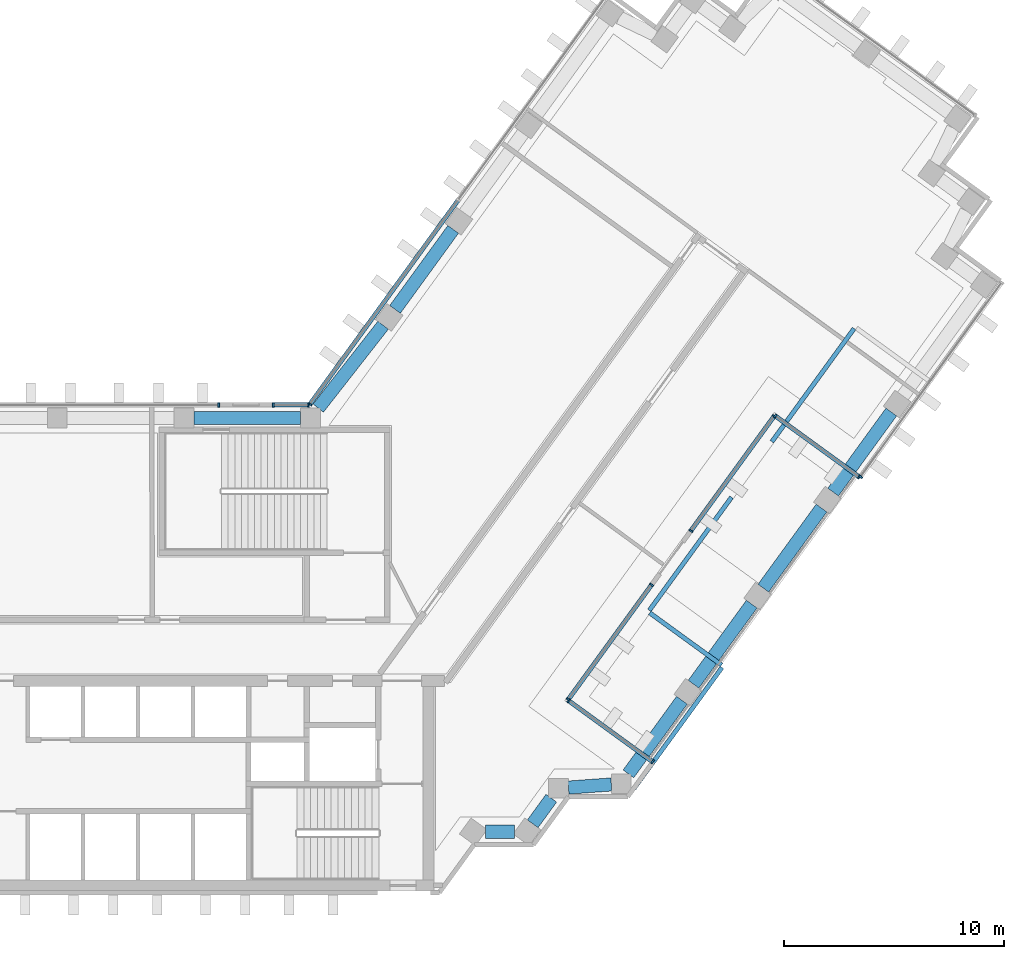
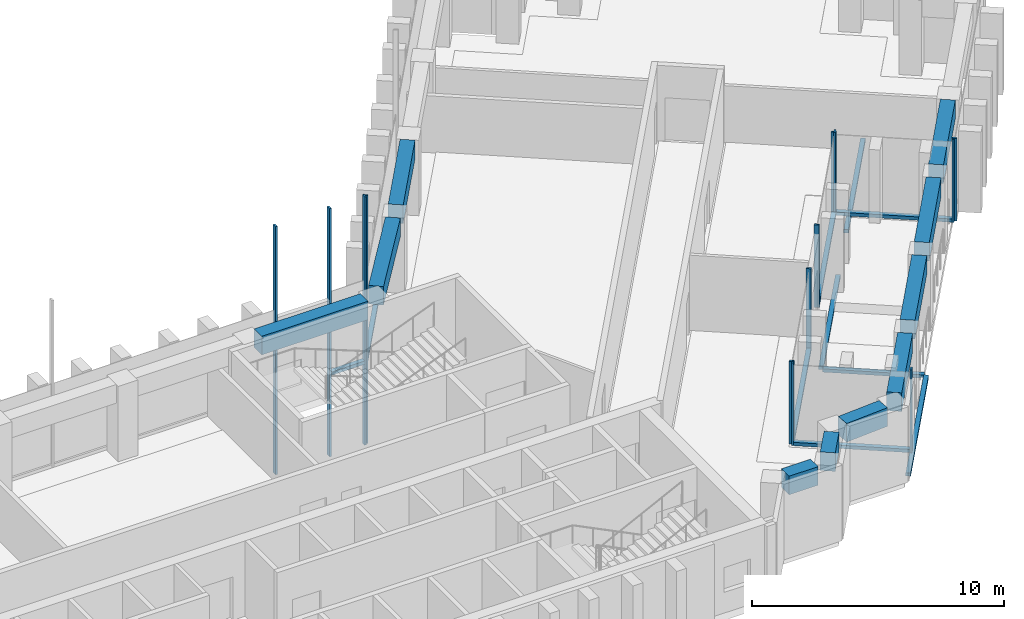
"""IFC4 building model written with IfcOpenShell, lengths in metres."""

from ifc_helpers import new_model, si_unit, direction, frame, origin, origin_2d, place, context, subcontext, project, spatial, rectangle, extrude, material, material_profile, profile_set, type_object, element, aggregate, save


model = new_model("IFC4")

# Units and contexts
model_context = context("Model", 3, precision=1e-05, world=origin(), true_north=direction((0.0, 1.0)))
body_context = subcontext(model_context, "Body", "Model", "MODEL_VIEW")
ifc_project = project(units=[si_unit("LENGTHUNIT", "METRE"), si_unit("AREAUNIT", "SQUARE_METRE"), si_unit("VOLUMEUNIT", "CUBIC_METRE"), si_unit("PLANEANGLEUNIT", "RADIAN"), si_unit("MASSUNIT", "GRAM", prefix="KILO")], contexts=[model_context])

# Site, building, storey
site_placement = place(None, origin())
site = spatial("IfcSite", under=ifc_project, at=site_placement, CompositionType="ELEMENT")
building_placement = place(site_placement, origin())
building = spatial("IfcBuilding", under=site, at=building_placement, Name="Quipu Civic Tower", CompositionType="ELEMENT")
storey_1_placement = place(building_placement, frame((0.0, 0.0, 101.0)))
storey_1 = spatial("IfcBuildingStorey", under=building, at=storey_1_placement, Name="L23", CompositionType="ELEMENT", Elevation=101.0)

# Curtain wall, members
ifc_material_1 = material(Name="Insulated glass unit", Category="glass")
curtain_wall_type = type_object("IfcCurtainWallType", Name="Office curtain wall CW1", PredefinedType="NOTDEFINED", material=ifc_material_1)
curtain_wall_1_placement = place(storey_1_placement, origin())
curtain_wall_1 = element("IfcCurtainWall", 1, at=curtain_wall_1_placement, inside=storey_1, type_object=curtain_wall_type, Name="Office curtain wall CW1 L23 run 2", PredefinedType="NOTDEFINED")
ifc_material_2 = material(Name="Anodised aluminium", Category="aluminium")
ifc_material_profile_1 = material_profile(ifc_material_2, rectangle(XDim=0.199951171875, YDim=0.080078125, at=origin_2d()), Name="RECT 200x80")
ifc_profile_set_1 = profile_set([ifc_material_profile_1], Name="Anodised aluminium")
member_type_1 = type_object("IfcMemberType", Name="Mullion CW1", PredefinedType="MULLION", material=ifc_profile_set_1)
member_1_placement = place(storey_1_placement, frame((29.947021484375, -5.12548828125, 0.080078125), z_axis=(0.0, 0.0, 1.0), x_axis=(-0.587797531918, -0.809008072563, 0.0)))
member_1 = element("IfcMember", 2, at=member_1_placement, type_object=member_type_1, Name="CW1 mullion 1", PredefinedType="MULLION", context=body_context, shape_type="SweptSolid", body=[
    extrude(rectangle(XDim=0.199951171875, YDim=0.080078125, at=origin_2d()), origin(), (0.0, 0.0, 1.0), 4.0),
])
member_2_placement = place(storey_1_placement, frame((26.12841796875, -2.351318359375, 0.080078125), z_axis=(0.0, 0.0, 1.0), x_axis=(-0.587797531918, -0.809008072563, 0.0)))
member_2 = element("IfcMember", 3, at=member_2_placement, type_object=member_type_1, Name="CW1 mullion 2", PredefinedType="MULLION", context=body_context, shape_type="SweptSolid", body=[
    extrude(rectangle(XDim=0.199951171875, YDim=0.080078125, at=origin_2d()), origin(), (0.0, 0.0, 1.0), 4.0),
])

curtain_wall_2_placement = place(storey_1_placement, origin())
curtain_wall_2 = element("IfcCurtainWall", 4, at=curtain_wall_2_placement, inside=storey_1, type_object=curtain_wall_type, Name="Office curtain wall CW1 L23 run 3", PredefinedType="NOTDEFINED")
member_3_placement = place(storey_1_placement, frame((26.11962890625, -2.29541015625, 0.080078125), z_axis=(0.0, 0.0, 1.0), x_axis=(-0.809017290474, 0.587784844747, 0.0)))
member_3 = element("IfcMember", 5, at=member_3_placement, type_object=member_type_1, Name="CW1 mullion 1", PredefinedType="MULLION", context=body_context, shape_type="SweptSolid", body=[
    extrude(rectangle(XDim=0.199951171875, YDim=0.080078125, at=origin_2d()), origin(), (0.0, 0.0, 1.0), 4.0),
])
member_4_placement = place(storey_1_placement, frame((29.90380859375, 2.9130859375, 0.080078125), z_axis=(0.0, 0.0, 1.0), x_axis=(-0.809017290474, 0.587784844747, 0.0)))
member_4 = element("IfcMember", 6, at=member_4_placement, type_object=member_type_1, Name="CW1 mullion 2", PredefinedType="MULLION", context=body_context, shape_type="SweptSolid", body=[
    extrude(rectangle(XDim=0.199951171875, YDim=0.080078125, at=origin_2d()), origin(), (0.0, 0.0, 1.0), 4.0),
])

curtain_wall_3_placement = place(storey_1_placement, origin())
curtain_wall_3 = element("IfcCurtainWall", 7, at=curtain_wall_3_placement, inside=storey_1, type_object=curtain_wall_type, Name="Office curtain wall CW1 L23 run 5", PredefinedType="NOTDEFINED")
member_5_placement = place(storey_1_placement, frame((31.6923828125, 5.375, 0.080078125), z_axis=(0.0, 0.0, 1.0), x_axis=(-0.8090179163, 0.587783983369, 0.0)))
member_5 = element("IfcMember", 8, at=member_5_placement, type_object=member_type_1, Name="CW1 mullion 1", PredefinedType="MULLION", context=body_context, shape_type="SweptSolid", body=[
    extrude(rectangle(XDim=0.199951171875, YDim=0.080078125, at=origin_2d()), origin(), (0.0, 0.0, 1.0), 4.0),
])
member_6_placement = place(storey_1_placement, frame((35.47705078125, 10.584228515625, 0.080078125), z_axis=(0.0, 0.0, 1.0), x_axis=(-0.8090179163, 0.587783983369, 0.0)))
member_6 = element("IfcMember", 9, at=member_6_placement, type_object=member_type_1, Name="CW1 mullion 2", PredefinedType="MULLION", context=body_context, shape_type="SweptSolid", body=[
    extrude(rectangle(XDim=0.199951171875, YDim=0.080078125, at=origin_2d()), origin(), (0.0, 0.0, 1.0), 4.0),
])

curtain_wall_4_placement = place(storey_1_placement, origin())
curtain_wall_4 = element("IfcCurtainWall", 10, at=curtain_wall_4_placement, inside=storey_1, type_object=curtain_wall_type, Name="Office curtain wall CW1 L23 run 6", PredefinedType="NOTDEFINED")
member_7_placement = place(storey_1_placement, frame((35.532958984375, 10.593017578125, 0.080078125), z_axis=(0.0, 0.0, 1.0), x_axis=(0.58777398931, 0.809025177291, 0.0)))
member_7 = element("IfcMember", 11, at=member_7_placement, type_object=member_type_1, Name="CW1 mullion 1", PredefinedType="MULLION", context=body_context, shape_type="SweptSolid", body=[
    extrude(rectangle(XDim=0.199951171875, YDim=0.080078125, at=origin_2d()), origin(), (0.0, 0.0, 1.0), 4.0),
])
member_8_placement = place(storey_1_placement, frame((39.3515625, 7.818603515625, 0.080078125), z_axis=(0.0, 0.0, 1.0), x_axis=(0.58777398931, 0.809025177291, 0.0)))
member_8 = element("IfcMember", 12, at=member_8_placement, type_object=member_type_1, Name="CW1 mullion 2", PredefinedType="MULLION", context=body_context, shape_type="SweptSolid", body=[
    extrude(rectangle(XDim=0.199951171875, YDim=0.080078125, at=origin_2d()), origin(), (0.0, 0.0, 1.0), 4.0),
])

# Curtain wall, member
curtain_wall_5_placement = place(storey_1_placement, origin())
curtain_wall_5 = element("IfcCurtainWall", 13, at=curtain_wall_5_placement, inside=storey_1, type_object=curtain_wall_type, Name="Office curtain wall CW1 L23 run 7", PredefinedType="NOTDEFINED")
member_9_placement = place(storey_1_placement, frame((39.407470703125, 7.82763671875, 0.080078125), z_axis=(0.0, 0.0, 1.0), x_axis=(-0.809015896796, 0.587786762977, 0.0)))
member_9 = element("IfcMember", 14, at=member_9_placement, type_object=member_type_1, Name="CW1 mullion 1", PredefinedType="MULLION", context=body_context, shape_type="SweptSolid", body=[
    extrude(rectangle(XDim=0.199951171875, YDim=0.080078125, at=origin_2d()), origin(), (0.0, 0.0, 1.0), 4.0),
])
aggregate(curtain_wall_5, [member_9])

curtain_wall_6_placement = place(storey_1_placement, origin())
curtain_wall_6 = element("IfcCurtainWall", 15, at=curtain_wall_6_placement, inside=storey_1, type_object=curtain_wall_type, Name="Office curtain wall CW1 L22 run 36", PredefinedType="NOTDEFINED")
member_10_placement = place(storey_1_placement, frame((14.36767578125, 11.13232421875, -3.919921875), z_axis=(0.0, 0.0, 1.0), x_axis=(0.809014469803, -0.587788727052, 0.0)))
member_10 = element("IfcMember", 16, at=member_10_placement, type_object=member_type_1, Name="CW1 mullion 3", PredefinedType="MULLION", context=body_context, shape_type="SweptSolid", body=[
    extrude(rectangle(XDim=0.199951171875, YDim=0.080078125, at=origin_2d()), origin(), (0.0, 0.0, 1.0), 12.0),
])

# Curtain wall, members
curtain_wall_7_placement = place(storey_1_placement, origin())
curtain_wall_7 = element("IfcCurtainWall", 17, at=curtain_wall_7_placement, inside=storey_1, type_object=curtain_wall_type, Name="Office curtain wall CW1 L22 run 37", PredefinedType="NOTDEFINED")
member_11_placement = place(storey_1_placement, frame((14.30419921875, 11.10009765625, -3.919921875), z_axis=(0.0, 0.0, 1.0), x_axis=(0.0, -1.0, 0.0)))
member_11 = element("IfcMember", 18, at=member_11_placement, type_object=member_type_1, Name="CW1 mullion 1", PredefinedType="MULLION", context=body_context, shape_type="SweptSolid", body=[
    extrude(rectangle(XDim=0.199951171875, YDim=0.080078125, at=origin_2d()), origin(), (0.0, 0.0, 1.0), 12.0),
])
member_12_placement = place(storey_1_placement, frame((12.695068359375, 11.10009765625, -3.919921875), z_axis=(0.0, 0.0, 1.0), x_axis=(0.0, -1.0, 0.0)))
member_12 = element("IfcMember", 19, at=member_12_placement, type_object=member_type_1, Name="CW1 mullion 2", PredefinedType="MULLION", context=body_context, shape_type="SweptSolid", body=[
    extrude(rectangle(XDim=0.199951171875, YDim=0.080078125, at=origin_2d()), origin(), (0.0, 0.0, 1.0), 12.0),
])

# Curtain wall, member
curtain_wall_8_placement = place(storey_1_placement, origin())
curtain_wall_8 = element("IfcCurtainWall", 20, at=curtain_wall_8_placement, inside=storey_1, type_object=curtain_wall_type, Name="Office curtain wall CW1 L22 run 39", PredefinedType="NOTDEFINED")
member_13_placement = place(storey_1_placement, frame((10.223388671875, 11.10009765625, -3.919921875), z_axis=(0.0, 0.0, 1.0), x_axis=(0.0, -1.0, 0.0)))
member_13 = element("IfcMember", 21, at=member_13_placement, type_object=member_type_1, Name="CW1 mullion 1", PredefinedType="MULLION", context=body_context, shape_type="SweptSolid", body=[
    extrude(rectangle(XDim=0.199951171875, YDim=0.080078125, at=origin_2d()), origin(), (0.0, 0.0, 1.0), 12.0),
])
aggregate(curtain_wall_8, [member_13])

# Beams
ifc_material_3 = material(Name="Concrete C50/60", Category="concrete")
ifc_material_profile_2 = material_profile(ifc_material_3, rectangle(XDim=0.60009765625, YDim=0.89990234375, at=origin_2d()), Name="RC600x900")
ifc_profile_set_2 = profile_set([ifc_material_profile_2], Name="Concrete C50/60")
beam_type = type_object("IfcBeamType", Name="Spandrel beam RC 600x900 C50/60", PredefinedType="SPANDREL", material=ifc_profile_set_2)
beam_1_placement = place(storey_1_placement, frame((22.34814453125, -8.31494140625, 3.199951171875), z_axis=(1.0, 0.0, 0.0), x_axis=(0.0, 1.0, 0.0)))
element("IfcBeam", 22, at=beam_1_placement, inside=storey_1, type_object=beam_type, Name="Spandrel beam L23 J-Eo.1 to J-Eo.2", PredefinedType="SPANDREL", context=body_context, shape_type="SweptSolid", body=[
    extrude(rectangle(XDim=0.60009765625, YDim=0.89990234375, at=origin_2d()), origin(), (0.0, 0.0, 1.0), 1.33056640625),
])
beam_2_placement = place(storey_1_placement, frame((24.499755859375, -7.951171875, 3.199951171875), z_axis=(0.588433824377, 0.808545381738, 0.0), x_axis=(-0.808545381738, 0.588433824377, 0.0)))
element("IfcBeam", 23, at=beam_2_placement, inside=storey_1, type_object=beam_type, Name="Spandrel beam L23 J-Eo.2 to J-Eo.3", PredefinedType="SPANDREL", context=body_context, shape_type="SweptSolid", body=[
    extrude(rectangle(XDim=0.60009765625, YDim=0.89990234375, at=origin_2d()), origin(), (0.0, 0.0, 1.0), 1.439697265625),
])
beam_3_placement = place(storey_1_placement, frame((26.12451171875, -6.304443359375, 3.199951171875), z_axis=(0.997365981169, 0.072533437859, 0.0), x_axis=(-0.072533437859, 0.997365981169, 0.0)))
element("IfcBeam", 24, at=beam_3_placement, inside=storey_1, type_object=beam_type, Name="Spandrel beam L23 J-Eo.3 to J-Eo.4", PredefinedType="SPANDREL", context=body_context, shape_type="SweptSolid", body=[
    extrude(rectangle(XDim=0.60009765625, YDim=0.89990234375, at=origin_2d()), origin(), (0.0, 0.0, 1.0), 1.95556640625),
])
beam_4_placement = place(storey_1_placement, frame((28.85205078125, -5.679931640625, 3.199951171875), z_axis=(0.587750565781, 0.809042194464, 0.0), x_axis=(-0.809042194464, 0.587750565781, 0.0)))
element("IfcBeam", 25, at=beam_4_placement, inside=storey_1, type_object=beam_type, Name="Spandrel beam L23 J-Eo.4 to E-OUT-01", PredefinedType="SPANDREL", context=body_context, shape_type="SweptSolid", body=[
    extrude(rectangle(XDim=0.60009765625, YDim=0.89990234375, at=origin_2d()), origin(), (0.0, 0.0, 1.0), 4.13720703125),
])
beam_5_placement = place(storey_1_placement, frame((31.812744140625, -1.604736328125, 3.199951171875), z_axis=(0.587778073121, 0.809022210299, 0.0), x_axis=(-0.809022210299, 0.587778073121, 0.0)))
element("IfcBeam", 26, at=beam_5_placement, inside=storey_1, type_object=beam_type, Name="Spandrel beam L23 E-OUT-01 to E-OUT-02", PredefinedType="SPANDREL", context=body_context, shape_type="SweptSolid", body=[
    extrude(rectangle(XDim=0.60009765625, YDim=0.89990234375, at=origin_2d()), origin(), (0.0, 0.0, 1.0), 4.5),
])
beam_6_placement = place(storey_1_placement, frame((34.98681640625, 2.76416015625, 3.199951171875), z_axis=(0.587803872688, 0.809003465539, 0.0), x_axis=(-0.809003465539, 0.587803872688, 0.0)))
element("IfcBeam", 27, at=beam_6_placement, inside=storey_1, type_object=beam_type, Name="Spandrel beam L23 E-OUT-02 to E-OUT-03", PredefinedType="SPANDREL", context=body_context, shape_type="SweptSolid", body=[
    extrude(rectangle(XDim=0.60009765625, YDim=0.89990234375, at=origin_2d()), origin(), (0.0, 0.0, 1.0), 4.499755859375),
])
for number, where, z_axis, x_axis, name in (
    (28, (38.160888671875, 7.1328125, 3.199951171875), (0.587778073121, 0.809022210299, 0.0), (-0.809022210299, 0.587778073121, 0.0), "Spandrel beam L23 E-OUT-03 to E-OUT-04"),
    (29, (20.8828125, 19.079833984375, 3.199951171875), (-0.587716763865, -0.809066749701, 0.0), (0.809066749701, -0.587716763865, 0.0), "Spandrel beam L23 E-IN-02 to E-IN-01"),
):
    element("IfcBeam", number, at=place(storey_1_placement, frame(where, z_axis=z_axis, x_axis=x_axis)), inside=storey_1, type_object=beam_type, Name=name, PredefinedType="SPANDREL", context=body_context, shape_type="SweptSolid", body=[
        extrude(rectangle(XDim=0.60009765625, YDim=0.89990234375, at=origin_2d()), origin(), (0.0, 0.0, 1.0), 4.5),
    ])
beam_7_placement = place(storey_1_placement, frame((17.6962890625, 14.72021484375, 3.199951171875), z_axis=(-0.616123961998, -0.787649200756, 0.0), x_axis=(0.787649200756, -0.616123961998, 0.0)))
element("IfcBeam", 30, at=beam_7_placement, inside=storey_1, type_object=beam_type, Name="Spandrel beam L23 E-IN-01 to J-Ei.0", PredefinedType="SPANDREL", context=body_context, shape_type="SweptSolid", body=[
    extrude(rectangle(XDim=0.60009765625, YDim=0.89990234375, at=origin_2d()), origin(), (0.0, 0.0, 1.0), 4.78662109375),
])
beam_8_placement = place(storey_1_placement, frame((13.9453125, 10.5, 3.199951171875), z_axis=(-1.0, 0.0, 0.0), x_axis=(0.0, -1.0, 0.0)))
element("IfcBeam", 31, at=beam_8_placement, inside=storey_1, type_object=beam_type, Name="Spandrel beam L23 J-Ei.0 to FRONT-01", PredefinedType="SPANDREL", context=body_context, shape_type="SweptSolid", body=[
    extrude(rectangle(XDim=0.60009765625, YDim=0.89990234375, at=origin_2d()), origin(), (0.0, 0.0, 1.0), 4.858154296875),
])

# Storey
storey_2_placement = place(building_placement, frame((0.0, 0.0, 97.0)))
storey_2 = spatial("IfcBuildingStorey", under=building, at=storey_2_placement, Name="L22", CompositionType="ELEMENT", Elevation=97.0)

# Curtain wall, member
curtain_wall_9_placement = place(storey_2_placement, origin())
curtain_wall_9 = element("IfcCurtainWall", 32, at=curtain_wall_9_placement, inside=storey_2, type_object=curtain_wall_type, Name="Office curtain wall CW1 L22 run 1", PredefinedType="NOTDEFINED")
ifc_material_4 = material(Name="Anodised aluminium", Category="aluminium")
ifc_material_profile_3 = material_profile(ifc_material_4, rectangle(XDim=0.199951171875, YDim=0.159912109375, at=origin_2d()), Name="RECT 200x160")
ifc_profile_set_3 = profile_set([ifc_material_profile_3], Name="Anodised aluminium")
member_type_2 = type_object("IfcMemberType", Name="Transom CW1", PredefinedType="USERDEFINED", material=ifc_profile_set_3)
member_14_placement = place(storey_1_placement, frame((29.10302734375, -6.35546875, 0.0), z_axis=(0.587783730695, 0.809018099878, 0.0), x_axis=(-0.809018099878, 0.587783730695, 0.0)))
member_14 = element("IfcMember", 33, at=member_14_placement, inside=storey_1, type_object=member_type_2, Name="CW1 transom 1.2", ObjectType="TRANSOM", PredefinedType="USERDEFINED", context=body_context, shape_type="SweptSolid", body=[
    extrude(rectangle(XDim=0.199951171875, YDim=0.159912109375, at=origin_2d()), origin(), (0.0, 0.0, 1.0), 6.81103515625),
])
aggregate(curtain_wall_9, [member_14])

curtain_wall_10_placement = place(storey_2_placement, origin())
curtain_wall_10 = element("IfcCurtainWall", 34, at=curtain_wall_10_placement, inside=storey_2, type_object=curtain_wall_type, Name="Office curtain wall CW1 L22 run 2", PredefinedType="NOTDEFINED")
member_15_placement = place(storey_1_placement, frame((33.088623046875, -0.7333984375, 0.0), z_axis=(-0.808994717653, 0.587815912348, 0.0), x_axis=(-0.587815912348, -0.808994717653, 0.0)))
member_15 = element("IfcMember", 35, at=member_15_placement, inside=storey_1, type_object=member_type_2, Name="CW1 transom 1.2", ObjectType="TRANSOM", PredefinedType="USERDEFINED", context=body_context, shape_type="SweptSolid", body=[
    extrude(rectangle(XDim=0.199951171875, YDim=0.159912109375, at=origin_2d()), origin(), (0.0, 0.0, 1.0), 4.0400390625),
])
aggregate(curtain_wall_10, [member_15])

curtain_wall_11_placement = place(storey_2_placement, origin())
curtain_wall_11 = element("IfcCurtainWall", 36, at=curtain_wall_11_placement, inside=storey_2, type_object=curtain_wall_type, Name="Office curtain wall CW1 L22 run 3", PredefinedType="NOTDEFINED")
member_16_placement = place(storey_1_placement, frame((29.802490234375, 1.7529296875, 0.0), z_axis=(0.587778942742, 0.809021578494, 0.0), x_axis=(-0.809021578494, 0.587778942742, 0.0)))
member_16 = element("IfcMember", 37, at=member_16_placement, inside=storey_1, type_object=member_type_2, Name="CW1 transom 1.2", ObjectType="TRANSOM", PredefinedType="USERDEFINED", context=body_context, shape_type="SweptSolid", body=[
    extrude(rectangle(XDim=0.199951171875, YDim=0.159912109375, at=origin_2d()), origin(), (0.0, 0.0, 1.0), 6.3583984375),
])
aggregate(curtain_wall_11, [member_16])

curtain_wall_12_placement = place(storey_2_placement, origin())
curtain_wall_12 = element("IfcCurtainWall", 38, at=curtain_wall_12_placement, inside=storey_2, type_object=curtain_wall_type, Name="Office curtain wall CW1 L22 run 5", PredefinedType="NOTDEFINED")
member_17_placement = place(storey_1_placement, frame((35.37548828125, 9.423583984375, 0.0), z_axis=(0.587785815007, 0.809016585539, 0.0), x_axis=(-0.809016585539, 0.587785815007, 0.0)))
member_17 = element("IfcMember", 39, at=member_17_placement, inside=storey_1, type_object=member_type_2, Name="CW1 transom 1.2", ObjectType="TRANSOM", PredefinedType="USERDEFINED", context=body_context, shape_type="SweptSolid", body=[
    extrude(rectangle(XDim=0.199951171875, YDim=0.159912109375, at=origin_2d()), origin(), (0.0, 0.0, 1.0), 6.358642578125),
])
aggregate(curtain_wall_12, [member_17])

# Member
member_18_placement = place(storey_1_placement, frame((29.91455078125, -5.10205078125, 0.159912109375), z_axis=(-0.809006769669, 0.587799325136, 0.0), x_axis=(-0.587799325136, -0.809006769669, 0.0)))
member_18 = element("IfcMember", 40, at=member_18_placement, type_object=member_type_2, Name="CW1 transom 1.1", ObjectType="TRANSOM", PredefinedType="USERDEFINED", context=body_context, shape_type="SweptSolid", body=[
    extrude(rectangle(XDim=0.199951171875, YDim=0.159912109375, at=origin_2d()), origin(), (0.0, 0.0, 1.0), 4.639892578125),
])

aggregate(curtain_wall_1, [member_1, member_2, member_18])

member_19_placement = place(storey_1_placement, frame((26.14306640625, -2.262939453125, 0.159912109375), z_axis=(0.587797201853, 0.809008312376, 0.0), x_axis=(-0.809008312376, 0.587797201853, 0.0)))
member_19 = element("IfcMember", 41, at=member_19_placement, type_object=member_type_2, Name="CW1 transom 1.1", ObjectType="TRANSOM", PredefinedType="USERDEFINED", context=body_context, shape_type="SweptSolid", body=[
    extrude(rectangle(XDim=0.199951171875, YDim=0.159912109375, at=origin_2d()), origin(), (0.0, 0.0, 1.0), 6.358154296875),
])

aggregate(curtain_wall_2, [member_3, member_4, member_19])

member_20_placement = place(storey_1_placement, frame((31.7158203125, 5.4072265625, 0.159912109375), z_axis=(0.587792686492, 0.809011593061, 0.0), x_axis=(-0.809011593061, 0.587792686492, 0.0)))
member_20 = element("IfcMember", 42, at=member_20_placement, type_object=member_type_2, Name="CW1 transom 1.1", ObjectType="TRANSOM", PredefinedType="USERDEFINED", context=body_context, shape_type="SweptSolid", body=[
    extrude(rectangle(XDim=0.199951171875, YDim=0.159912109375, at=origin_2d()), origin(), (0.0, 0.0, 1.0), 6.359130859375),
])

aggregate(curtain_wall_3, [member_5, member_6, member_20])

member_21_placement = place(storey_1_placement, frame((35.5654296875, 10.569580078125, 0.159912109375), z_axis=(0.809006769669, -0.587799325136, 0.0), x_axis=(0.587799325136, 0.809006769669, 0.0)))
member_21 = element("IfcMember", 43, at=member_21_placement, type_object=member_type_2, Name="CW1 transom 1.1", ObjectType="TRANSOM", PredefinedType="USERDEFINED", context=body_context, shape_type="SweptSolid", body=[
    extrude(rectangle(XDim=0.199951171875, YDim=0.159912109375, at=origin_2d()), origin(), (0.0, 0.0, 1.0), 4.639892578125),
])

aggregate(curtain_wall_4, [member_7, member_8, member_21])

member_22_placement = place(storey_1_placement, frame((21.09326171875, 20.38916015625, 0.080078125), z_axis=(-0.587799878401, -0.809006367683, 0.0), x_axis=(0.809006367683, -0.587799878401, 0.0)))
member_22 = element("IfcMember", 44, at=member_22_placement, type_object=member_type_2, Name="CW1 transom 2.2", ObjectType="TRANSOM", PredefinedType="USERDEFINED", context=body_context, shape_type="SweptSolid", body=[
    extrude(rectangle(XDim=0.199951171875, YDim=0.159912109375, at=origin_2d()), origin(), (0.0, 0.0, 1.0), 11.402099609375),
])

aggregate(curtain_wall_6, [member_10, member_22])

member_23_placement = place(storey_1_placement, frame((14.26416015625, 11.10009765625, 0.080078125), z_axis=(-1.0, 0.0, 0.0), x_axis=(0.0, -1.0, 0.0)))
member_23 = element("IfcMember", 45, at=member_23_placement, type_object=member_type_2, Name="CW1 transom 1.2", ObjectType="TRANSOM", PredefinedType="USERDEFINED", context=body_context, shape_type="SweptSolid", body=[
    extrude(rectangle(XDim=0.199951171875, YDim=0.159912109375, at=origin_2d()), origin(), (0.0, 0.0, 1.0), 1.529052734375),
])

aggregate(curtain_wall_7, [member_11, member_12, member_23])

save(model, "model.ifc")
